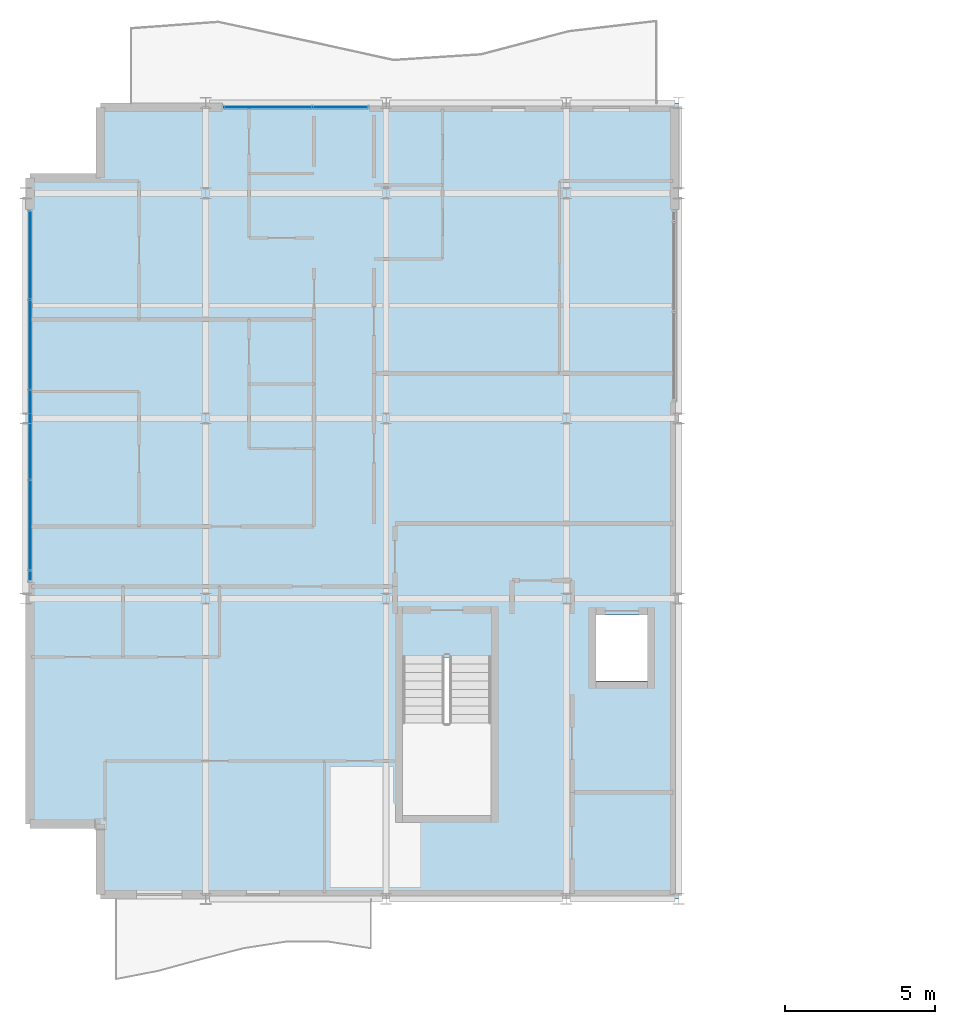
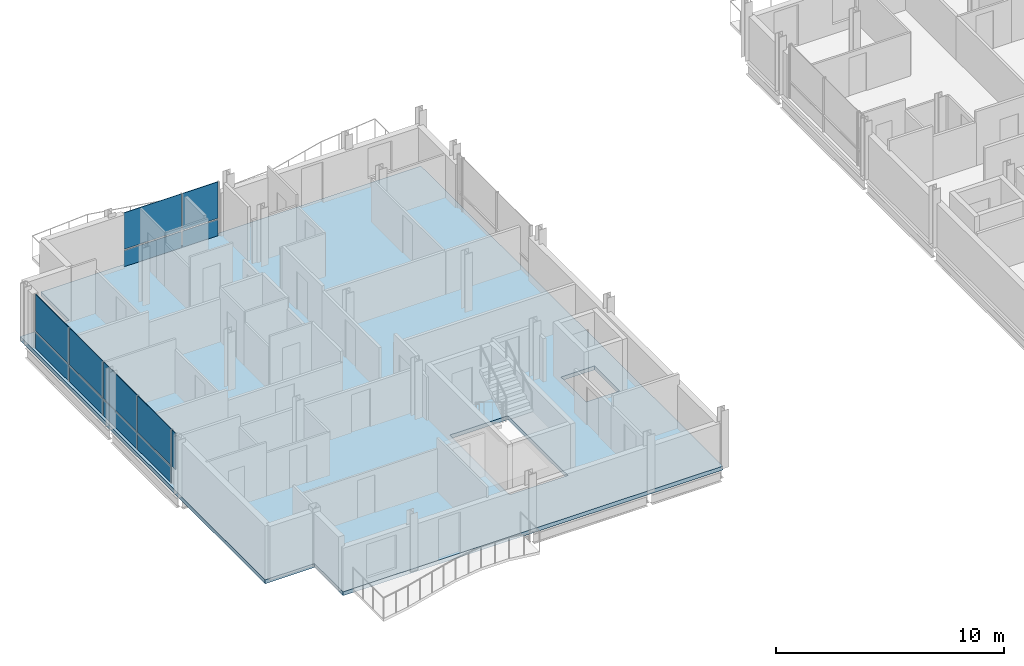
# One storey, part 17 of 29: 13 plates, 1 slab, 2 elements without a shape of their own.
"""IFC4 building model written with IfcOpenShell, lengths in metres."""

from ifc_helpers import new_model, si_unit, direction, frame, origin, origin_2d, place, context, subcontext, project, spatial, polyline, rectangle, outline, extrude, material, layer, layer_set, type_object, element, aggregate, save


model = new_model("IFC4")

# Units and contexts
model_context = context("Model", 3, precision=1e-05, world=origin(), true_north=direction((0.0, 1.0)))
body_context = subcontext(model_context, "Body", "Model", "MODEL_VIEW")
ifc_project = project(units=[si_unit("LENGTHUNIT", "METRE"), si_unit("AREAUNIT", "SQUARE_METRE"), si_unit("VOLUMEUNIT", "CUBIC_METRE"), si_unit("PLANEANGLEUNIT", "RADIAN"), si_unit("MASSUNIT", "GRAM", prefix="KILO")], contexts=[model_context])

# Site, building, storey
site_placement = place(None, origin())
site = spatial("IfcSite", under=ifc_project, at=site_placement, CompositionType="ELEMENT")
building_placement = place(site_placement, origin())
building = spatial("IfcBuilding", under=site, at=building_placement, Name="Brevholm Reach", CompositionType="ELEMENT")
storey_placement = place(building_placement, frame((0.0, 0.0, 201.800048828125)))
storey = spatial("IfcBuildingStorey", under=building, at=storey_placement, Name="L61", CompositionType="ELEMENT", Elevation=201.800048828125)

# Curtain wall, plates
ifc_material_1 = material(Name="Dark Anodised Aluminium 6063-T6 and Solar-Control Glass", Category="aluminium")
ifc_layer_1 = layer(ifc_material_1, 0.14990234375)
ifc_layer_set_1 = layer_set([ifc_layer_1], Name="Dark Anodised Aluminium 6063-T6 and Solar-Control Glass")
curtain_wall_type = type_object("IfcCurtainWallType", Name="CW-01", PredefinedType="NOTDEFINED", material=ifc_layer_set_1)
curtain_wall_1_placement = place(storey_placement, origin())
curtain_wall_1 = element("IfcCurtainWall", 1, at=curtain_wall_1_placement, inside=storey, type_object=curtain_wall_type, Name="L61 Curtain Wall CW-01", PredefinedType="NOTDEFINED")
ifc_material_2 = material(Name="Dark Solar-Control Double-Glazed IGU Glass", Category="glass")
ifc_layer_2 = layer(ifc_material_2, 0.028076171875)
ifc_layer_set_2 = layer_set([ifc_layer_2], Name="Dark Solar-Control Double-Glazed IGU Glass")
plate_type = type_object("IfcPlateType", Name="CWP-GLZ-28", PredefinedType="CURTAIN_PANEL", material=ifc_layer_set_2)
plate_1_placement = place(storey_placement, frame((0.14990234375, 21.433837890625, 0.0), z_axis=(0.0, 0.0, 1.0), x_axis=(0.0, -1.0, 0.0)))
plate_1 = element("IfcPlate", 2, at=plate_1_placement, type_object=plate_type, Name="CP-01 Glazing Panel 1.1", PredefinedType="CURTAIN_PANEL", context=body_context, shape_type="SweptSolid", body=[
    extrude(rectangle(XDim=2.902587890625, YDim=0.028076171875, at=origin_2d()), origin(), (0.0, 0.0, 1.0), 0.867431640625),
])
plate_2_placement = place(storey_placement, frame((0.14990234375, 21.433837890625, 0.932373046875), z_axis=(0.0, 0.0, 1.0), x_axis=(0.0, -1.0, 0.0)))
plate_2 = element("IfcPlate", 3, at=plate_2_placement, type_object=plate_type, Name="CP-01 Glazing Panel 1.2", PredefinedType="CURTAIN_PANEL", context=body_context, shape_type="SweptSolid", body=[
    extrude(rectangle(XDim=2.902587890625, YDim=0.028076171875, at=origin_2d()), origin(), (0.0, 0.0, 1.0), 1.95751953125),
])
plate_3_placement = place(storey_placement, frame((0.14990234375, 18.449951171875, 0.0), z_axis=(0.0, 0.0, 1.0), x_axis=(0.0, -1.0, 0.0)))
plate_3 = element("IfcPlate", 4, at=plate_3_placement, type_object=plate_type, Name="CP-01 Glazing Panel 2.1", PredefinedType="CURTAIN_PANEL", context=body_context, shape_type="SweptSolid", body=[
    extrude(rectangle(XDim=2.93505859375, YDim=0.028076171875, at=origin_2d()), origin(), (0.0, 0.0, 1.0), 0.867431640625),
])
plate_4_placement = place(storey_placement, frame((0.14990234375, 18.449951171875, 0.932373046875), z_axis=(0.0, 0.0, 1.0), x_axis=(0.0, -1.0, 0.0)))
plate_4 = element("IfcPlate", 5, at=plate_4_placement, type_object=plate_type, Name="CP-01 Glazing Panel 2.2", PredefinedType="CURTAIN_PANEL", context=body_context, shape_type="SweptSolid", body=[
    extrude(rectangle(XDim=2.93505859375, YDim=0.028076171875, at=origin_2d()), origin(), (0.0, 0.0, 1.0), 1.95751953125),
])
plate_5_placement = place(storey_placement, frame((0.14990234375, 15.449951171875, 0.0), z_axis=(0.0, 0.0, 1.0), x_axis=(0.0, -1.0, 0.0)))
plate_5 = element("IfcPlate", 6, at=plate_5_placement, type_object=plate_type, Name="CP-01 Glazing Panel 3.1", PredefinedType="CURTAIN_PANEL", context=body_context, shape_type="SweptSolid", body=[
    extrude(rectangle(XDim=2.93505859375, YDim=0.028076171875, at=origin_2d()), origin(), (0.0, 0.0, 1.0), 0.867431640625),
])
plate_6_placement = place(storey_placement, frame((0.14990234375, 15.449951171875, 0.932373046875), z_axis=(0.0, 0.0, 1.0), x_axis=(0.0, -1.0, 0.0)))
plate_6 = element("IfcPlate", 7, at=plate_6_placement, type_object=plate_type, Name="CP-01 Glazing Panel 3.2", PredefinedType="CURTAIN_PANEL", context=body_context, shape_type="SweptSolid", body=[
    extrude(rectangle(XDim=2.93505859375, YDim=0.028076171875, at=origin_2d()), origin(), (0.0, 0.0, 1.0), 1.95751953125),
])
plate_7_placement = place(storey_placement, frame((0.14990234375, 12.449951171875, 0.0), z_axis=(0.0, 0.0, 1.0), x_axis=(0.0, -1.0, 0.0)))
plate_7 = element("IfcPlate", 8, at=plate_7_placement, type_object=plate_type, Name="CP-01 Glazing Panel 4.1", PredefinedType="CURTAIN_PANEL", context=body_context, shape_type="SweptSolid", body=[
    extrude(rectangle(XDim=2.93505859375, YDim=0.028076171875, at=origin_2d()), origin(), (0.0, 0.0, 1.0), 0.867431640625),
])
plate_8_placement = place(storey_placement, frame((0.14990234375, 12.449951171875, 0.932373046875), z_axis=(0.0, 0.0, 1.0), x_axis=(0.0, -1.0, 0.0)))
plate_8 = element("IfcPlate", 9, at=plate_8_placement, type_object=plate_type, Name="CP-01 Glazing Panel 4.2", PredefinedType="CURTAIN_PANEL", context=body_context, shape_type="SweptSolid", body=[
    extrude(rectangle(XDim=2.93505859375, YDim=0.028076171875, at=origin_2d()), origin(), (0.0, 0.0, 1.0), 1.95751953125),
])
plate_9_placement = place(storey_placement, frame((0.14990234375, 10.766357421875, 0.932373046875), z_axis=(0.0, 0.0, 1.0), x_axis=(0.0, -1.0, 0.0)))
plate_9 = element("IfcPlate", 10, at=plate_9_placement, type_object=plate_type, Name="CP-01 Glazing Panel 5.2", PredefinedType="CURTAIN_PANEL", context=body_context, shape_type="SweptSolid", body=[
    extrude(rectangle(XDim=0.302490234375, YDim=0.028076171875, at=origin_2d()), origin(), (0.0, 0.0, 1.0), 1.95751953125),
])
aggregate(curtain_wall_1, [plate_1, plate_2, plate_3, plate_4, plate_5, plate_6, plate_7, plate_8, plate_9])

curtain_wall_2_placement = place(storey_placement, origin())
curtain_wall_2 = element("IfcCurtainWall", 11, at=curtain_wall_2_placement, inside=storey, type_object=curtain_wall_type, Name="L61 Curtain Wall CW-01", PredefinedType="NOTDEFINED")
plate_10_placement = place(storey_placement, frame((8.066162109375, 26.35009765625, 0.0), z_axis=(0.0, 0.0, 1.0), x_axis=(1.0, 0.0, 0.0)))
plate_10 = element("IfcPlate", 12, at=plate_10_placement, type_object=plate_type, Name="CP-01 Glazing Panel 1.1", PredefinedType="CURTAIN_PANEL", context=body_context, shape_type="SweptSolid", body=[
    extrude(rectangle(XDim=2.902587890625, YDim=0.028076171875, at=origin_2d()), origin(), (0.0, 0.0, 1.0), 0.867431640625),
])
plate_11_placement = place(storey_placement, frame((8.066162109375, 26.35009765625, 0.932373046875), z_axis=(0.0, 0.0, 1.0), x_axis=(1.0, 0.0, 0.0)))
plate_11 = element("IfcPlate", 13, at=plate_11_placement, type_object=plate_type, Name="CP-01 Glazing Panel 1.2", PredefinedType="CURTAIN_PANEL", context=body_context, shape_type="SweptSolid", body=[
    extrude(rectangle(XDim=2.902587890625, YDim=0.028076171875, at=origin_2d()), origin(), (0.0, 0.0, 1.0), 1.95751953125),
])
plate_12_placement = place(storey_placement, frame((10.483642578125, 26.35009765625, 0.0), z_axis=(0.0, 0.0, 1.0), x_axis=(1.0, 0.0, 0.0)))
plate_12 = element("IfcPlate", 14, at=plate_12_placement, type_object=plate_type, Name="CP-01 Glazing Panel 2.1", PredefinedType="CURTAIN_PANEL", context=body_context, shape_type="SweptSolid", body=[
    extrude(rectangle(XDim=1.802490234375, YDim=0.028076171875, at=origin_2d()), origin(), (0.0, 0.0, 1.0), 0.867431640625),
])
plate_13_placement = place(storey_placement, frame((10.483642578125, 26.35009765625, 0.932373046875), z_axis=(0.0, 0.0, 1.0), x_axis=(1.0, 0.0, 0.0)))
plate_13 = element("IfcPlate", 15, at=plate_13_placement, type_object=plate_type, Name="CP-01 Glazing Panel 2.2", PredefinedType="CURTAIN_PANEL", context=body_context, shape_type="SweptSolid", body=[
    extrude(rectangle(XDim=1.802490234375, YDim=0.028076171875, at=origin_2d()), origin(), (0.0, 0.0, 1.0), 1.95751953125),
])
aggregate(curtain_wall_2, [plate_10, plate_11, plate_12, plate_13])

# Slab
ifc_material_3 = material(Name="Concrete C40/50", Category="concrete")
ifc_layer_3 = layer(ifc_material_3, 0.2099609375)
ifc_layer_set_3 = layer_set([ifc_layer_3], Name="Concrete C40/50")
slab_type = type_object("IfcSlabType", Name="SLB-FL-210", PredefinedType="FLOOR", material=ifc_layer_set_3)
slab_placement = place(storey_placement, frame((0.0, 0.0, -0.2099609375)))
element("IfcSlab", 16, at=slab_placement, inside=storey, type_object=slab_type, Name="L61 Suspended Floor Slab (west-wing)", PredefinedType="FLOOR", context=body_context, shape_type="SweptSolid", body=[
    extrude(outline(polyline([(2.5, 0.0), (21.75, 0.0), (21.75, 26.5), (2.5, 26.5), (2.5, 24.0), (0.0, 24.0), (0.0, 2.5), (2.5, 2.5), (2.5, 0.0)]), holes=[polyline([(12.550048828125, 2.780029296875), (15.5, 2.780029296875), (15.5, 8.044921875), (12.550048828125, 8.044921875), (12.550048828125, 2.780029296875)]), polyline([(19.0, 7.25), (20.699951171875, 7.25), (20.699951171875, 9.449951171875), (19.0, 9.449951171875), (19.0, 7.25)])]), origin(), (0.0, 0.0, 1.0), 0.2099609375),
])

save(model, "model.ifc")
